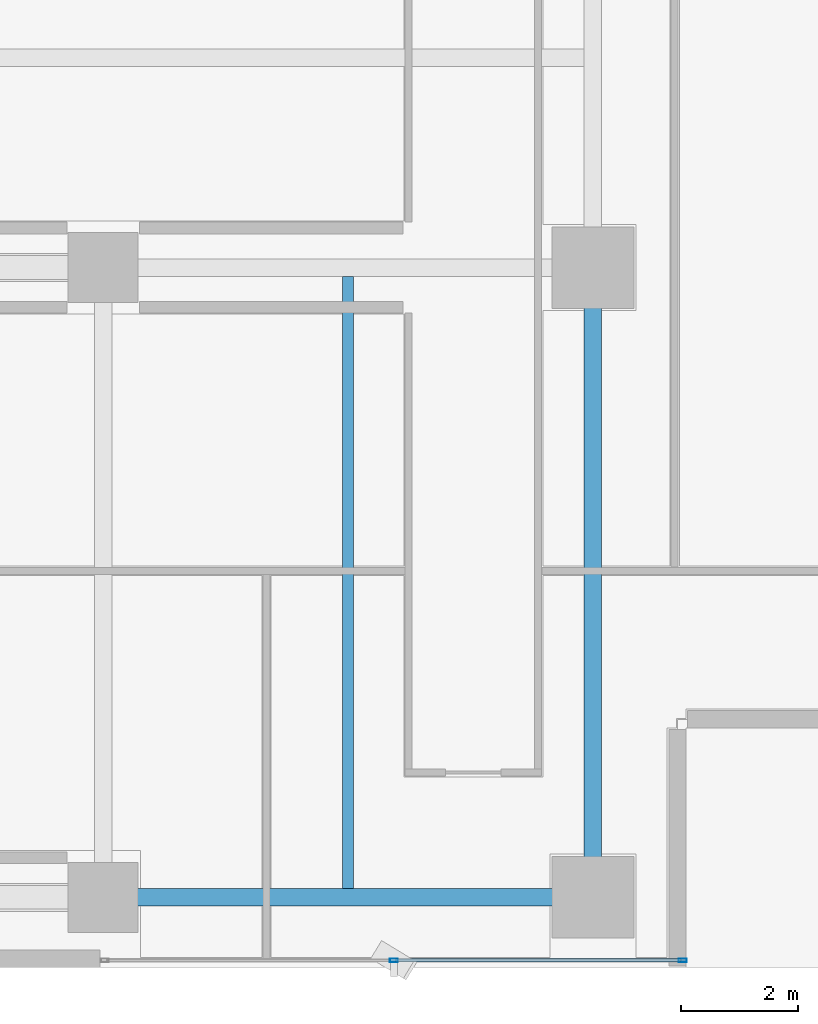
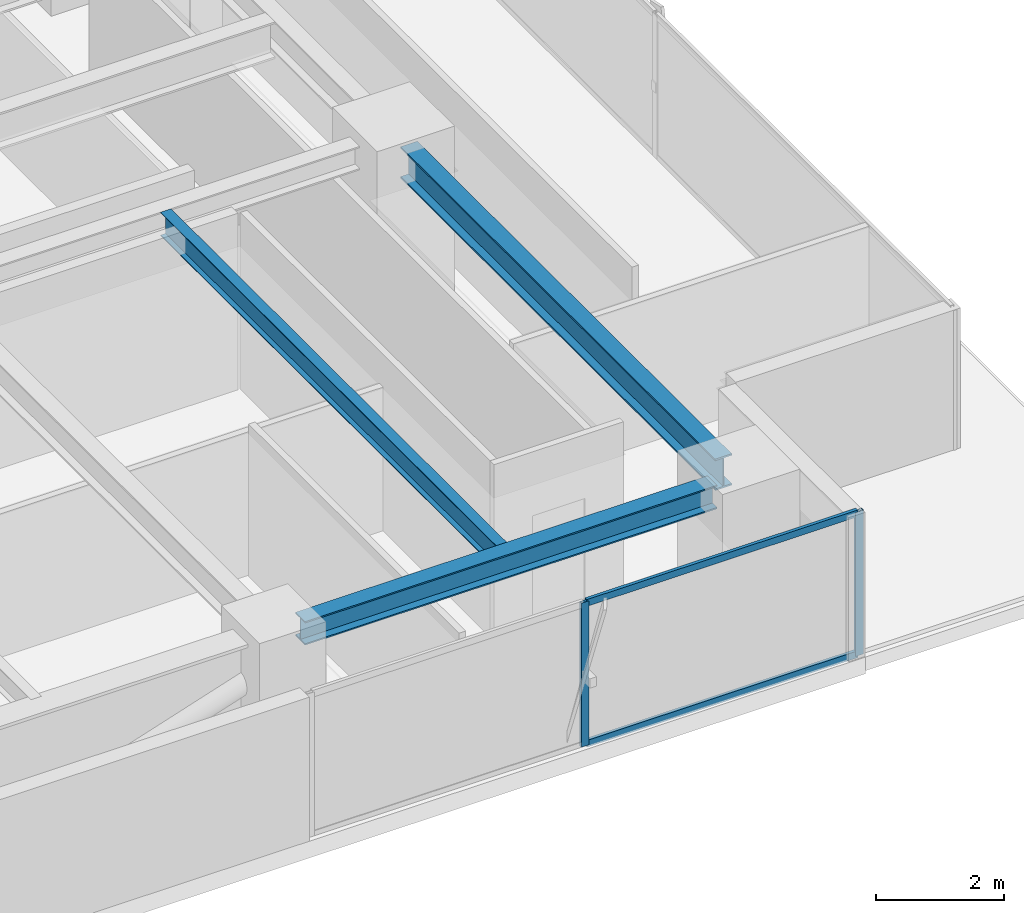
# One storey, part 10 of 27: 4 members, 3 beams, 1 element without a shape of its own.
"""IFC4 building model written with IfcOpenShell, lengths in metres."""

from ifc_helpers import new_model, si_unit, direction, frame, origin, origin_2d, place, context, subcontext, project, spatial, hollow_rectangle, i_section, extrude, source, transform, mapped, material, layer, layer_set, material_profile, profile_set, type_object, element, aggregate, save


model = new_model("IFC4")

# Units and contexts
model_context = context("Model", 3, precision=1e-05, world=origin(), true_north=direction((0.0, 1.0)))
body_context = subcontext(model_context, "Body", "Model", "MODEL_VIEW")
ifc_project = project(units=[si_unit("LENGTHUNIT", "METRE"), si_unit("AREAUNIT", "SQUARE_METRE"), si_unit("VOLUMEUNIT", "CUBIC_METRE"), si_unit("PLANEANGLEUNIT", "RADIAN"), si_unit("MASSUNIT", "GRAM", prefix="KILO")], contexts=[model_context])

# Site, building, storey
site_placement = place(None, origin())
site = spatial("IfcSite", under=ifc_project, at=site_placement, CompositionType="ELEMENT")
building_placement = place(site_placement, origin())
building = spatial("IfcBuilding", under=site, at=building_placement, Name="Sumidabori Civic Tower", CompositionType="ELEMENT")
storey_placement = place(building_placement, frame((0.0, 0.0, 228.800048828125)))
storey = spatial("IfcBuildingStorey", under=building, at=storey_placement, Name="L59", CompositionType="ELEMENT", Elevation=228.800048828125)

# Beams
ifc_material_1 = material(Name="Steel SN490", Category="steel")
ifc_material_profile_1 = material_profile(ifc_material_1, i_section(OverallWidth=0.300048828125, OverallDepth=0.60009765625, WebThickness=0.015380859375, FlangeThickness=0.030029296875, at=origin_2d()), Name="HE 600 B")
ifc_profile_set_1 = profile_set([ifc_material_profile_1], Name="Steel SN490")
beam_type_1 = type_object("IfcBeamType", Name="BM-GIRD-600", PredefinedType="BEAM", material=ifc_profile_set_1)
shared_shape_1 = source(origin(), body_context, "Body", "SweptSolid", [
    extrude(i_section(OverallWidth=0.300048828125, OverallDepth=0.60009765625, WebThickness=0.015380859375, FlangeThickness=0.030029296875, at=origin_2d()), origin(), (0.0, 0.0, 1.0), 9.840087890625),
])
beam_1_placement = place(storey_placement, frame((16.800048828125, -10.320068359375, 3.070068359375), z_axis=(0.0, 1.0, 0.0), x_axis=(-1.0, 0.0, 0.0)))
element("IfcBeam", 1, at=beam_1_placement, inside=storey, type_object=beam_type_1, Name="Primary Girder L59 GY-11", PredefinedType="BEAM", context=body_context, shape_type="MappedRepresentation", body=[
    mapped(shared_shape_1, transform((0.0, 0.0, 0.0), x_axis=(1.0, 0.0, 0.0), y_axis=(0.0, 1.0, 0.0), z_axis=(0.0, 0.0, 1.0), scale=1.0)),
])
ifc_material_profile_2 = material_profile(ifc_material_1, i_section(OverallWidth=0.300048828125, OverallDepth=0.449951171875, WebThickness=0.013916015625, FlangeThickness=0.02587890625, at=origin_2d()), Name="HE 450 B")
ifc_profile_set_2 = profile_set([ifc_material_profile_2], Name="Steel SN490")
beam_type_2 = type_object("IfcBeamType", Name="BM-GIRD-450", PredefinedType="BEAM", material=ifc_profile_set_2)
shared_shape_2 = source(origin(), body_context, "Body", "SweptSolid", [
    extrude(i_section(OverallWidth=0.300048828125, OverallDepth=0.449951171875, WebThickness=0.013916015625, FlangeThickness=0.02587890625, at=origin_2d()), origin(), (0.0, 0.0, 1.0), 7.440185546875),
])
beam_2_placement = place(storey_placement, frame((8.8798828125, -10.800048828125, 3.14501953125), z_axis=(1.0, 0.0, 0.0), x_axis=(0.0, 1.0, 0.0)))
element("IfcBeam", 2, at=beam_2_placement, inside=storey, type_object=beam_type_2, Name="Primary Girder L59 GX-02", PredefinedType="BEAM", context=body_context, shape_type="MappedRepresentation", body=[
    mapped(shared_shape_2, transform((0.0, 0.0, 0.0), x_axis=(1.0, 0.0, 0.0), y_axis=(0.0, 1.0, 0.0), z_axis=(0.0, 0.0, 1.0), scale=1.0)),
])
ifc_material_profile_3 = material_profile(ifc_material_1, i_section(OverallWidth=0.18994140625, OverallDepth=0.449951171875, WebThickness=0.009521484375, FlangeThickness=0.0146484375, at=origin_2d()), Name="IPE 450")
ifc_profile_set_3 = profile_set([ifc_material_profile_3], Name="Steel SN490")
beam_type_3 = type_object("IfcBeamType", Name="BM-JST-450", PredefinedType="JOIST", material=ifc_profile_set_3)
shared_shape_3 = source(origin(), body_context, "Body", "SweptSolid", [
    extrude(i_section(OverallWidth=0.18994140625, OverallDepth=0.449951171875, WebThickness=0.009521484375, FlangeThickness=0.0146484375, at=origin_2d()), origin(), (0.0, 0.0, 1.0), 10.5),
])
beam_3_placement = place(storey_placement, frame((12.60009765625, -10.64990234375, 3.14501953125), z_axis=(0.0, 1.0, 0.0), x_axis=(-1.0, 0.0, 0.0)))
element("IfcBeam", 3, at=beam_3_placement, inside=storey, type_object=beam_type_3, Name="Upper Lens N-S Floor Joist L59 JSTV-19", PredefinedType="JOIST", context=body_context, shape_type="MappedRepresentation", body=[
    mapped(shared_shape_3, transform((0.0, 0.0, 0.0), x_axis=(1.0, 0.0, 0.0), y_axis=(0.0, 1.0, 0.0), z_axis=(0.0, 0.0, 1.0), scale=1.0)),
])

# Curtain wall, members
ifc_material_2 = material(Name="Anodised Bronze Aluminium AW-6063-T6", Category="aluminium")
ifc_layer = layer(ifc_material_2, 0.179931640625, Name="Anodised Bronze Aluminium AW-6063-T6")
ifc_layer_set = layer_set([ifc_layer], Name="Anodised Bronze Aluminium AW-6063-T6")
curtain_wall_type = type_object("IfcCurtainWallType", Name="CW-SYS-5", PredefinedType="NOTDEFINED", material=ifc_layer_set)
curtain_wall_placement = place(storey_placement, origin())
curtain_wall = element("IfcCurtainWall", 4, at=curtain_wall_placement, inside=storey, type_object=curtain_wall_type, Name="Curtain Wall CW:L59:R02", PredefinedType="NOTDEFINED")
ifc_material_profile_4 = material_profile(ifc_material_2, hollow_rectangle(XDim=0.06005859375, YDim=0.139892578125, WallThickness=0.0048828125, at=origin_2d()), Name="ALU MULLION 140x60")
ifc_profile_set_4 = profile_set([ifc_material_profile_4], Name="Anodised Bronze Aluminium AW-6063-T6")
member_type_1 = type_object("IfcMemberType", Name="CW-MUL-140", PredefinedType="MULLION", material=ifc_profile_set_4)
shared_shape_4 = source(origin(), body_context, "Body", "SweptSolid", [
    extrude(hollow_rectangle(XDim=0.06005859375, YDim=0.139892578125, WallThickness=0.0048828125, at=origin_2d()), origin(), (0.0, 0.0, 1.0), 2.75),
])
member_1_placement = place(storey_placement, frame((13.385009765625, -11.8798828125, 0.0), z_axis=(0.0, 0.0, 1.0), x_axis=(0.0, 1.0, 0.0)))
member_1 = element("IfcMember", 5, at=member_1_placement, type_object=member_type_1, Name="CW-5 mullion 2", PredefinedType="MULLION", context=body_context, shape_type="MappedRepresentation", body=[
    mapped(shared_shape_4, transform((0.0, 0.0, 0.0), x_axis=(1.0, 0.0, 0.0), y_axis=(0.0, 1.0, 0.0), z_axis=(0.0, 0.0, 1.0), scale=1.0)),
])
member_2_placement = place(storey_placement, frame((18.340087890625, -11.8798828125, 0.0), z_axis=(0.0, 0.0, 1.0), x_axis=(0.0, 1.0, 0.0)))
member_2 = element("IfcMember", 6, at=member_2_placement, type_object=member_type_1, Name="CW-5 mullion 3", PredefinedType="MULLION", context=body_context, shape_type="MappedRepresentation", body=[
    mapped(shared_shape_4, transform((0.0, 0.0, 0.0), x_axis=(1.0, 0.0, 0.0), y_axis=(0.0, 1.0, 0.0), z_axis=(0.0, 0.0, 1.0), scale=1.0)),
])
ifc_material_profile_5 = material_profile(ifc_material_2, hollow_rectangle(XDim=0.06005859375, YDim=0.1298828125, WallThickness=0.0048828125, at=origin_2d()), Name="ALU TRANSOM 130x60")
ifc_profile_set_5 = profile_set([ifc_material_profile_5], Name="Anodised Bronze Aluminium AW-6063-T6")
member_type_2 = type_object("IfcMemberType", Name="CW-TRN-130", PredefinedType="USERDEFINED", material=ifc_profile_set_5)
shared_shape_5 = source(origin(), body_context, "Body", "SweptSolid", [
    extrude(hollow_rectangle(XDim=0.06005859375, YDim=0.1298828125, WallThickness=0.0048828125, at=origin_2d()), origin(), (0.0, 0.0, 1.0), 4.89501953125),
])
member_3_placement = place(storey_placement, frame((13.4150390625, -11.8798828125, 0.030029296875), z_axis=(1.0, 0.0, 0.0), x_axis=(0.0, 1.0, 0.0)))
member_3 = element("IfcMember", 7, at=member_3_placement, type_object=member_type_2, Name="CW-5 transom 2.1", ObjectType="TRANSOM", PredefinedType="USERDEFINED", context=body_context, shape_type="MappedRepresentation", body=[
    mapped(shared_shape_5, transform((0.0, 0.0, 0.0), x_axis=(1.0, 0.0, 0.0), y_axis=(0.0, 1.0, 0.0), z_axis=(0.0, 0.0, 1.0), scale=1.0)),
])
member_4_placement = place(storey_placement, frame((13.4150390625, -11.8798828125, 2.719970703125), z_axis=(1.0, 0.0, 0.0), x_axis=(0.0, 1.0, 0.0)))
member_4 = element("IfcMember", 8, at=member_4_placement, type_object=member_type_2, Name="CW-5 transom 2.2", ObjectType="TRANSOM", PredefinedType="USERDEFINED", context=body_context, shape_type="MappedRepresentation", body=[
    mapped(shared_shape_5, transform((0.0, 0.0, 0.0), x_axis=(1.0, 0.0, 0.0), y_axis=(0.0, 1.0, 0.0), z_axis=(0.0, 0.0, 1.0), scale=1.0)),
])
aggregate(curtain_wall, [member_1, member_2, member_3, member_4])

save(model, "model.ifc")
